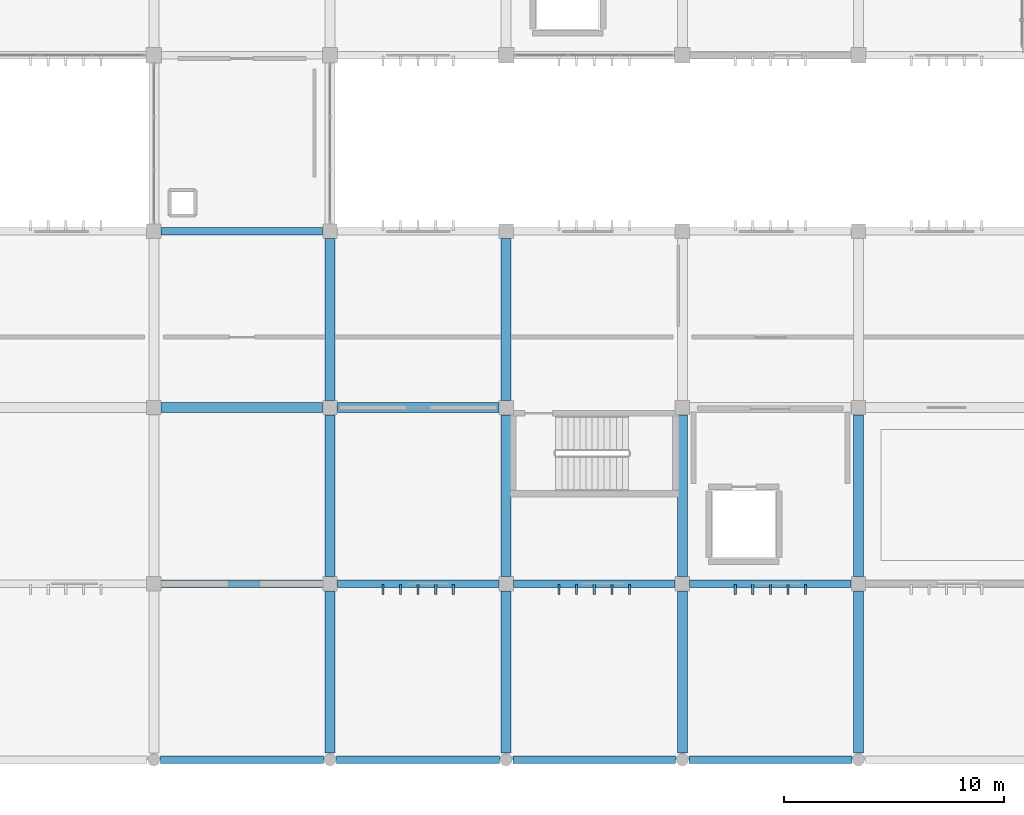
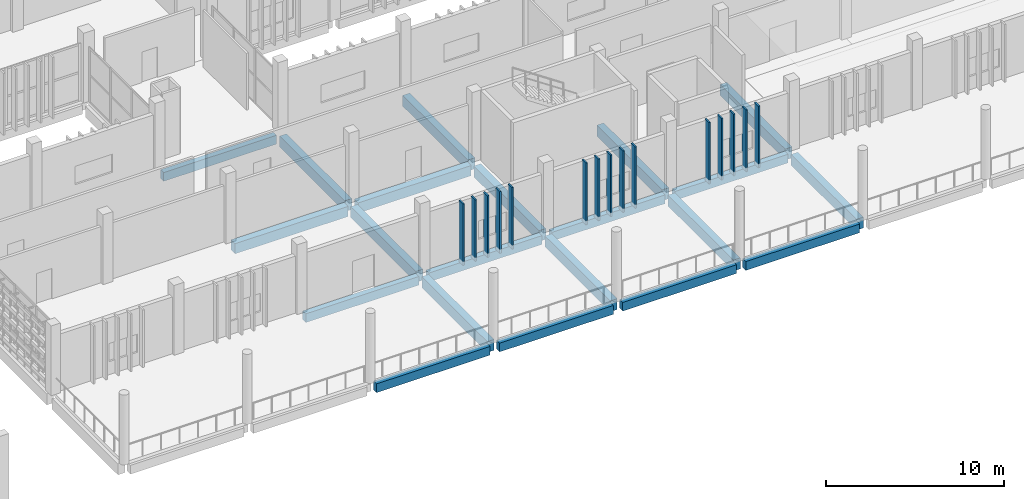
# One storey, part 32 of 106: 21 beams, 15 members.
"""IFC4 building model written with IfcOpenShell, lengths in metres."""

from ifc_helpers import new_model, si_unit, direction, frame, origin, origin_2d, place, context, subcontext, project, spatial, rectangle, extrude, material, material_profile, profile_set, type_object, element, save


model = new_model("IFC4")

# Units and contexts
model_context = context("Model", 3, precision=1e-05, world=origin(), true_north=direction((0.0, 1.0)))
body_context = subcontext(model_context, "Body", "Model", "MODEL_VIEW")
ifc_project = project(units=[si_unit("LENGTHUNIT", "METRE"), si_unit("AREAUNIT", "SQUARE_METRE"), si_unit("VOLUMEUNIT", "CUBIC_METRE"), si_unit("PLANEANGLEUNIT", "RADIAN"), si_unit("MASSUNIT", "GRAM", prefix="KILO")], contexts=[model_context])

# Site, building, storey
site_placement = place(None, origin())
site = spatial("IfcSite", under=ifc_project, at=site_placement, CompositionType="ELEMENT")
building_placement = place(site_placement, origin())
building = spatial("IfcBuilding", under=site, at=building_placement, Name="Jelvoka-Kovrelna Polytechnic", CompositionType="ELEMENT")
storey_placement = place(building_placement, frame((0.0, 0.0, 4.800048828125)))
storey = spatial("IfcBuildingStorey", under=building, at=storey_placement, Name="L02", CompositionType="ELEMENT", Elevation=4.800048828125)

# Beams
ifc_material_1 = material(Name="Concrete C40/50", Category="concrete")
ifc_material_profile_1 = material_profile(ifc_material_1, rectangle(XDim=0.449951171875, YDim=0.699951171875, at=origin_2d()), Name="RC 450x700")
ifc_profile_set_1 = profile_set([ifc_material_profile_1], Name="Concrete C40/50")
beam_type_1 = type_object("IfcBeamType", Name="Beam_RC_450x700", PredefinedType="BEAM", material=ifc_profile_set_1)
for number, where, z_axis, x_axis, name in (
    (1, (72.330078125, 16.0, -0.614990234375), (1.0, 0.0, 0.0), (0.0, 1.0, 0.0), "L02 beam 0623"),
    (2, (80.330078125, 16.0, -0.614990234375), (1.0, 0.0, 0.0), (0.0, 1.0, 0.0), "L02 beam 0624"),
):
    element("IfcBeam", number, at=place(storey_placement, frame(where, z_axis=z_axis, x_axis=x_axis)), inside=storey, type_object=beam_type_1, Name=name, PredefinedType="BEAM", context=body_context, shape_type="SweptSolid", body=[
        extrude(rectangle(XDim=0.449951171875, YDim=0.699951171875, at=origin_2d()), origin(), (0.0, 0.0, 1.0), 7.33984375),
    ])
ifc_material_2 = material(Name="Concrete C40/50", Category="concrete")
ifc_material_profile_2 = material_profile(ifc_material_2, rectangle(XDim=0.449951171875, YDim=0.75, at=origin_2d()), Name="RC 450x750")
ifc_profile_set_2 = profile_set([ifc_material_profile_2], Name="Concrete C40/50")
beam_type_2 = type_object("IfcBeamType", Name="Beam_RC_450x750", PredefinedType="BEAM", material=ifc_profile_set_2)
for number, where, z_axis, x_axis, name in (
    (3, (80.0, 8.330078125, -0.64013671875), (0.0, 1.0, 0.0), (-1.0, 0.0, 0.0), "L02 beam 0640"),
    (4, (80.0, 16.330078125, -0.64013671875), (0.0, 1.0, 0.0), (-1.0, 0.0, 0.0), "L02 beam 0641"),
    (5, (88.0, 8.330078125, -0.64013671875), (0.0, 1.0, 0.0), (-1.0, 0.0, 0.0), "L02 beam 0642"),
    (6, (88.0, 16.330078125, -0.64013671875), (0.0, 1.0, 0.0), (-1.0, 0.0, 0.0), "L02 beam 0643"),
    (7, (96.0, 8.330078125, -0.64013671875), (0.0, 1.0, 0.0), (-1.0, 0.0, 0.0), "L02 beam 0644"),
    (8, (104.0, 8.330078125, -0.64013671875), (0.0, 1.0, 0.0), (-1.0, 0.0, 0.0), "L02 beam 0646"),
):
    element("IfcBeam", number, at=place(storey_placement, frame(where, z_axis=z_axis, x_axis=x_axis)), inside=storey, type_object=beam_type_2, Name=name, PredefinedType="BEAM", context=body_context, shape_type="SweptSolid", body=[
        extrude(rectangle(XDim=0.449951171875, YDim=0.75, at=origin_2d()), origin(), (0.0, 0.0, 1.0), 7.33984375),
    ])
for number, where, z_axis, x_axis, name in (
    (9, (80.0, 0.304931640625, -0.594970703125), (0.0, 1.0, 0.0), (-1.0, 0.0, 0.0), "L02 beam 2002"),
    (10, (88.0, 0.304931640625, -0.594970703125), (0.0, 1.0, 0.0), (-1.0, 0.0, 0.0), "L02 beam 2003"),
    (11, (96.0, 0.304931640625, -0.594970703125), (0.0, 1.0, 0.0), (-1.0, 0.0, 0.0), "L02 beam 2004"),
    (12, (104.0, 0.304931640625, -0.594970703125), (0.0, 1.0, 0.0), (-1.0, 0.0, 0.0), "L02 beam 2005"),
):
    element("IfcBeam", number, at=place(storey_placement, frame(where, z_axis=z_axis, x_axis=x_axis)), inside=storey, type_object=beam_type_2, Name=name, PredefinedType="BEAM", context=body_context, shape_type="SweptSolid", body=[
        extrude(rectangle(XDim=0.449951171875, YDim=0.75, at=origin_2d()), origin(), (0.0, 0.0, 1.0), 7.364990234375),
    ])

# Members
ifc_material_3 = material(Name="Precast concrete C40/50", Category="concrete")
ifc_material_profile_3 = material_profile(ifc_material_3, rectangle(XDim=0.10009765625, YDim=0.449951171875, at=origin_2d()), Name="PC 100x450")
ifc_profile_set_3 = profile_set([ifc_material_profile_3], Name="Precast concrete C40/50")
member_type = type_object("IfcMemberType", Name="Louvre_Fin_100x450", PredefinedType="USERDEFINED", material=ifc_profile_set_3)
for number, where, z_axis, x_axis, name in (
    (13, (82.39990234375, 7.735107421875, -0.27001953125), (0.0, 0.0, 1.0), (1.0, 0.0, 0.0), "L02 B1 south vertical solar louvre fin 0126"),
    (14, (83.199951171875, 7.735107421875, -0.27001953125), (0.0, 0.0, 1.0), (1.0, 0.0, 0.0), "L02 B1 south vertical solar louvre fin 0127"),
    (15, (84.0, 7.735107421875, -0.27001953125), (0.0, 0.0, 1.0), (1.0, 0.0, 0.0), "L02 B1 south vertical solar louvre fin 0128"),
    (16, (84.800048828125, 7.735107421875, -0.27001953125), (0.0, 0.0, 1.0), (1.0, 0.0, 0.0), "L02 B1 south vertical solar louvre fin 0129"),
    (17, (85.60009765625, 7.735107421875, -0.27001953125), (0.0, 0.0, 1.0), (1.0, 0.0, 0.0), "L02 B1 south vertical solar louvre fin 0130"),
    (18, (90.39990234375, 7.735107421875, -0.27001953125), (0.0, 0.0, 1.0), (1.0, 0.0, 0.0), "L02 B1 south vertical solar louvre fin 0136"),
    (19, (91.199951171875, 7.735107421875, -0.27001953125), (0.0, 0.0, 1.0), (1.0, 0.0, 0.0), "L02 B1 south vertical solar louvre fin 0137"),
    (20, (92.0, 7.735107421875, -0.27001953125), (0.0, 0.0, 1.0), (1.0, 0.0, 0.0), "L02 B1 south vertical solar louvre fin 0138"),
    (21, (92.800048828125, 7.735107421875, -0.27001953125), (0.0, 0.0, 1.0), (1.0, 0.0, 0.0), "L02 B1 south vertical solar louvre fin 0139"),
    (22, (93.60009765625, 7.735107421875, -0.27001953125), (0.0, 0.0, 1.0), (1.0, 0.0, 0.0), "L02 B1 south vertical solar louvre fin 0140"),
    (23, (98.39990234375, 7.735107421875, -0.27001953125), (0.0, 0.0, 1.0), (1.0, 0.0, 0.0), "L02 B1 south vertical solar louvre fin 0146"),
    (24, (99.199951171875, 7.735107421875, -0.27001953125), (0.0, 0.0, 1.0), (1.0, 0.0, 0.0), "L02 B1 south vertical solar louvre fin 0147"),
    (25, (100.0, 7.735107421875, -0.27001953125), (0.0, 0.0, 1.0), (1.0, 0.0, 0.0), "L02 B1 south vertical solar louvre fin 0148"),
    (26, (100.800048828125, 7.735107421875, -0.27001953125), (0.0, 0.0, 1.0), (1.0, 0.0, 0.0), "L02 B1 south vertical solar louvre fin 0149"),
    (27, (101.60009765625, 7.735107421875, -0.27001953125), (0.0, 0.0, 1.0), (1.0, 0.0, 0.0), "L02 B1 south vertical solar louvre fin 0150"),
):
    element("IfcMember", number, at=place(storey_placement, frame(where, z_axis=z_axis, x_axis=x_axis)), inside=storey, type_object=member_type, Name=name, ObjectType="SUNSHADE", PredefinedType="USERDEFINED", context=body_context, shape_type="SweptSolid", body=[
        extrude(rectangle(XDim=0.10009765625, YDim=0.449951171875, at=origin_2d()), origin(), (0.0, 0.0, 1.0), 4.22998046875),
    ])

# Beams
ifc_material_4 = material(Name="Concrete C40/50", Category="concrete")
ifc_material_profile_4 = material_profile(ifc_material_4, rectangle(XDim=0.35009765625, YDim=0.60009765625, at=origin_2d()), Name="RC 350x600")
ifc_profile_set_4 = profile_set([ifc_material_profile_4], Name="Concrete C40/50")
beam_type_3 = type_object("IfcBeamType", Name="Spandrel_RC_350x600", PredefinedType="SPANDREL", material=ifc_profile_set_4)
for number, where, z_axis, x_axis, name in (
    (28, (72.330078125, 8.0, -0.56494140625), (1.0, 0.0, 0.0), (0.0, 1.0, 0.0), "L02 beam 0616"),
    (29, (80.330078125, 8.0, -0.56494140625), (1.0, 0.0, 0.0), (0.0, 1.0, 0.0), "L02 beam 0617"),
    (30, (88.330078125, 8.0, -0.56494140625), (1.0, 0.0, 0.0), (0.0, 1.0, 0.0), "L02 beam 0618"),
    (31, (96.330078125, 8.0, -0.56494140625), (1.0, 0.0, 0.0), (0.0, 1.0, 0.0), "L02 beam 0619"),
    (32, (72.330078125, 24.0, -0.56494140625), (1.0, 0.0, 0.0), (0.0, 1.0, 0.0), "L02 beam 0629"),
):
    element("IfcBeam", number, at=place(storey_placement, frame(where, z_axis=z_axis, x_axis=x_axis)), inside=storey, type_object=beam_type_3, Name=name, PredefinedType="SPANDREL", context=body_context, shape_type="SweptSolid", body=[
        extrude(rectangle(XDim=0.35009765625, YDim=0.60009765625, at=origin_2d()), origin(), (0.0, 0.0, 1.0), 7.33984375),
    ])
for number, where, z_axis, x_axis, name in (
    (33, (72.304931640625, 0.0, -0.52001953125), (1.0, 0.0, 0.0), (0.0, 1.0, 0.0), "L02 beam 1989"),
    (34, (80.304931640625, 0.0, -0.52001953125), (1.0, 0.0, 0.0), (0.0, 1.0, 0.0), "L02 beam 1990"),
    (35, (88.304931640625, 0.0, -0.52001953125), (1.0, 0.0, 0.0), (0.0, 1.0, 0.0), "L02 beam 1991"),
    (36, (96.304931640625, 0.0, -0.52001953125), (1.0, 0.0, 0.0), (0.0, 1.0, 0.0), "L02 beam 1992"),
):
    element("IfcBeam", number, at=place(storey_placement, frame(where, z_axis=z_axis, x_axis=x_axis)), inside=storey, type_object=beam_type_3, Name=name, PredefinedType="SPANDREL", context=body_context, shape_type="SweptSolid", body=[
        extrude(rectangle(XDim=0.35009765625, YDim=0.60009765625, at=origin_2d()), origin(), (0.0, 0.0, 1.0), 7.39013671875),
    ])

save(model, "model.ifc")
